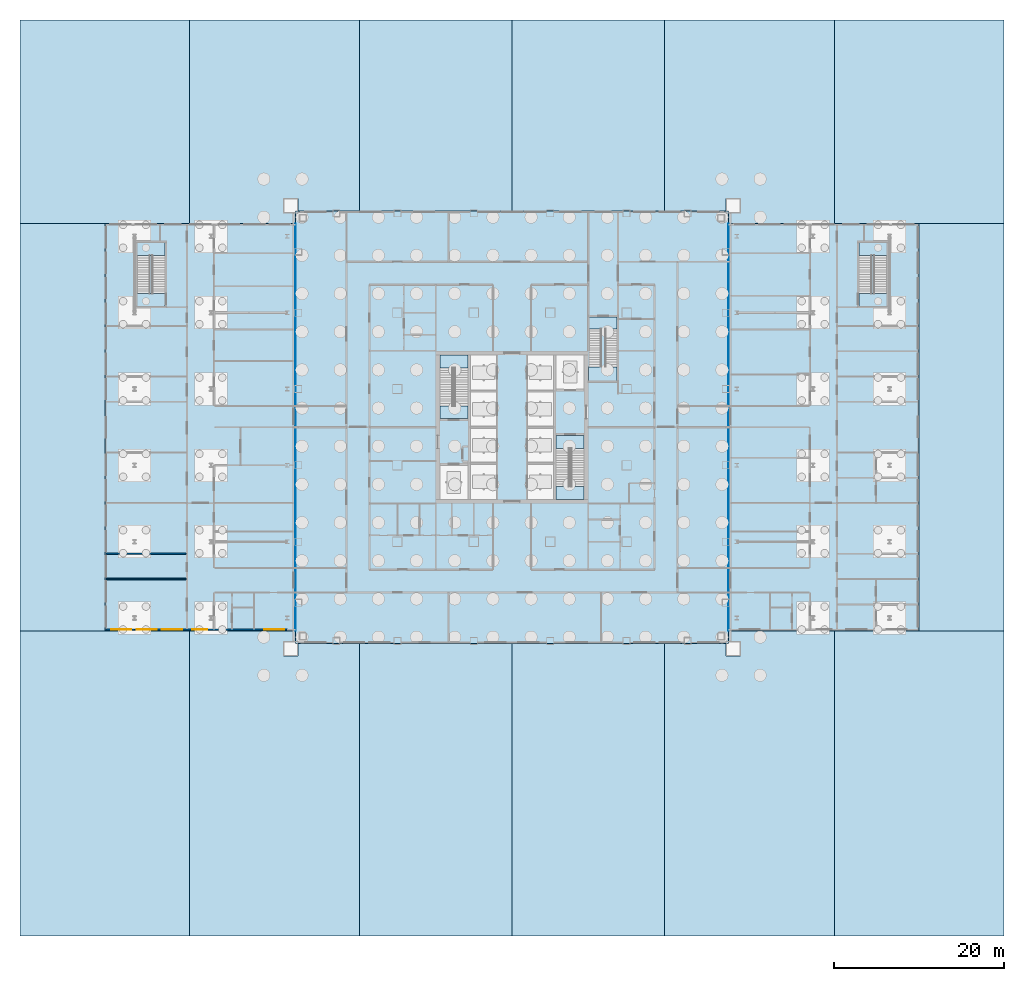
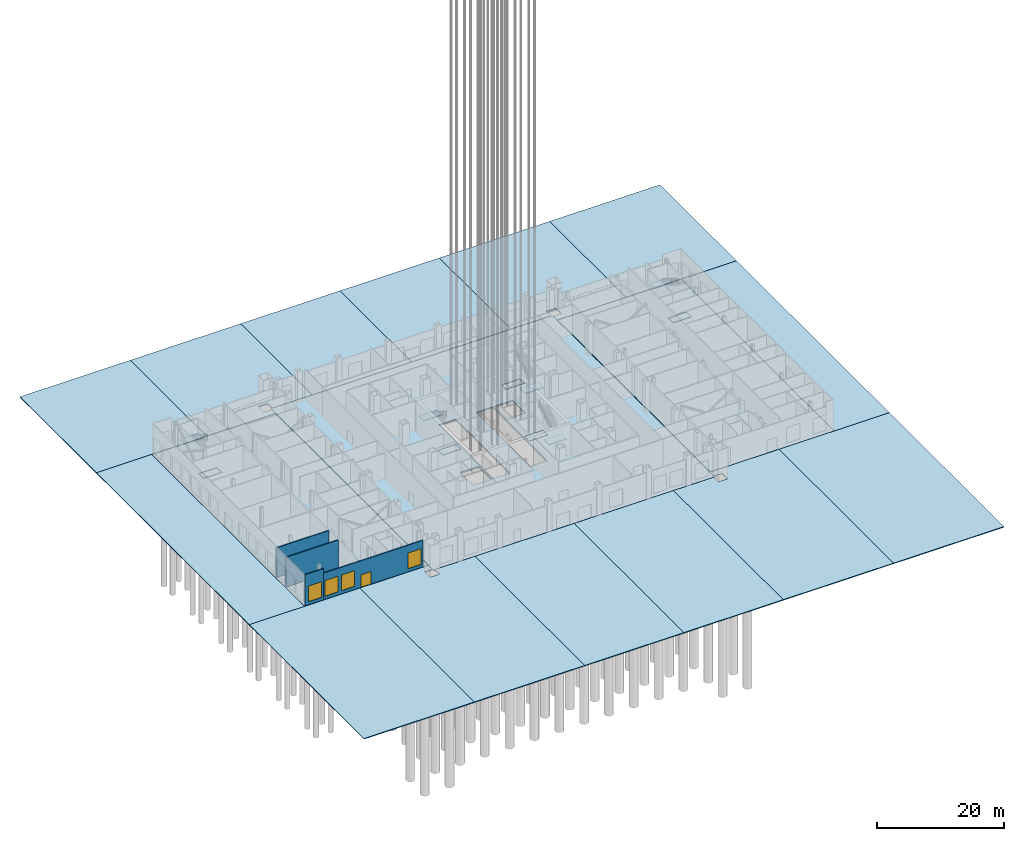
# One storey, part 3 of 36: 29 slabs, 4 walls, 4 windows, 1 door, 5 openings, 5 elements without a shape of their own.
"""IFC4 building model written with IfcOpenShell, lengths in metres."""

from ifc_helpers import new_model, si_unit, direction, frame, frame_2d, origin, place, context, subcontext, project, spatial, polyline, rectangle, outline, extrude, material, layer, layer_set, type_object, element, fill, aggregate, save


model = new_model("IFC4")

# Units and contexts
model_context = context("Model", 3, precision=1e-05, world=origin(), true_north=direction((0.0, 1.0)))
body_context = subcontext(model_context, "Body", "Model", "MODEL_VIEW")
ifc_project = project(units=[si_unit("LENGTHUNIT", "METRE"), si_unit("AREAUNIT", "SQUARE_METRE"), si_unit("VOLUMEUNIT", "CUBIC_METRE"), si_unit("PLANEANGLEUNIT", "RADIAN"), si_unit("MASSUNIT", "GRAM", prefix="KILO")], contexts=[model_context])

# Site, building, storey
site_placement = place(None, origin())
site = spatial("IfcSite", under=ifc_project, at=site_placement, CompositionType="ELEMENT")
building_placement = place(site_placement, origin())
building = spatial("IfcBuilding", under=site, at=building_placement, Name="Malebo Sky Hospital", CompositionType="ELEMENT")
storey_placement = place(building_placement, origin())
storey = spatial("IfcBuildingStorey", under=building, at=storey_placement, Name="L00", CompositionType="ELEMENT", Elevation=0.0)

# Slabs
ifc_material_1 = material(Name="Concrete C40/50", Category="concrete")
ifc_layer_1 = layer(ifc_material_1, 0.25)
ifc_layer_set_1 = layer_set([ifc_layer_1], Name="GROUND SLAB 250")
slab_type_1 = type_object("IfcSlabType", Name="GROUND SLAB 250", PredefinedType="BASESLAB", material=ifc_layer_set_1)
slab_1_placement = place(storey_placement, frame((0.0, 0.0, -0.25)))
element("IfcSlab", 1, at=slab_1_placement, inside=storey, type_object=slab_type_1, Name="Ground slab, tower", PredefinedType="BASESLAB", context=body_context, shape_type="SweptSolid", body=[
    extrude(outline(polyline([(85.5, 36.5), (85.5, 87.5), (34.5, 87.5), (34.5, 36.5), (85.5, 36.5)]), holes=[polyline([(58.14990234375, 53.5), (55.10009765625, 53.5), (55.10009765625, 70.5), (58.14990234375, 70.5), (58.14990234375, 53.5)]), polyline([(61.85009765625, 53.5), (61.85009765625, 70.5), (64.89990234375, 70.5), (64.89990234375, 53.5), (61.85009765625, 53.5)]), polyline([(51.5, 57.5), (54.800048828125, 57.5), (54.800048828125, 53.5), (51.5, 53.5), (51.5, 57.5)]), polyline([(68.5, 70.5), (68.5, 66.5), (65.199951171875, 66.5), (65.199951171875, 70.5), (68.5, 70.5)]), polyline([(54.800048828125, 63.0), (51.5, 63.0), (51.5, 64.5), (54.800048828125, 64.5), (54.800048828125, 63.0)]), polyline([(65.199951171875, 59.5), (65.199951171875, 61.0), (68.5, 61.0), (68.5, 59.5), (65.199951171875, 59.5)]), polyline([(69.10009765625, 75.0), (72.39990234375, 75.0), (72.39990234375, 73.60009765625), (69.10009765625, 73.60009765625), (69.10009765625, 75.0)])]), origin(), (0.0, 0.0, 1.0), 0.25),
])
slab_2_placement = place(storey_placement, frame((0.0, 0.0, -0.25)))
element("IfcSlab", 2, at=slab_2_placement, inside=storey, type_object=slab_type_1, Name="Ground slab, west wing", PredefinedType="BASESLAB", context=body_context, shape_type="SweptSolid", body=[
    extrude(outline(polyline([(34.449951171875, 38.0), (34.449951171875, 86.0), (12.0, 86.0), (12.0, 38.0), (34.449951171875, 38.0)]), holes=[polyline([(19.10009765625, 77.75), (19.10009765625, 76.25), (15.800048828125, 76.25), (15.800048828125, 77.75), (19.10009765625, 77.75)])]), origin(), (0.0, 0.0, 1.0), 0.25),
])
slab_3_placement = place(storey_placement, frame((0.0, 0.0, -0.25)))
element("IfcSlab", 3, at=slab_3_placement, inside=storey, type_object=slab_type_1, Name="Ground slab, east wing", PredefinedType="BASESLAB", context=body_context, shape_type="SweptSolid", body=[
    extrude(outline(polyline([(108.0, 38.0), (108.0, 86.0), (85.550048828125, 86.0), (85.550048828125, 38.0), (108.0, 38.0)]), holes=[polyline([(104.199951171875, 76.25), (100.89990234375, 76.25), (100.89990234375, 77.75), (104.199951171875, 77.75), (104.199951171875, 76.25)])]), origin(), (0.0, 0.0, 1.0), 0.25),
])
ifc_material_2 = material(Name="Granite setts on concrete base", Category="masonry")
ifc_layer_2 = layer(ifc_material_2, 0.14990234375)
ifc_layer_set_2 = layer_set([ifc_layer_2], Name="PLAZA PAVING 150")
slab_type_2 = type_object("IfcSlabType", Name="PLAZA PAVING 150", PredefinedType="USERDEFINED", material=ifc_layer_set_2)
slab_4_placement = place(storey_placement, frame((0.0, 0.0, -0.14990234375)))
element("IfcSlab", 4, at=slab_4_placement, inside=storey, type_object=slab_type_2, Name="South plaza paving bay 1", ObjectType="PAVING", PredefinedType="USERDEFINED", context=body_context, shape_type="SweptSolid", body=[
    extrude(outline(polyline([(2.0, 2.0), (22.0, 2.0), (22.0, 38.0), (12.0, 38.0), (2.0, 38.0), (2.0, 2.0)])), origin(), (0.0, 0.0, 1.0), 0.14990234375),
])
slab_5_placement = place(storey_placement, frame((0.0, 0.0, -0.14990234375)))
element("IfcSlab", 5, at=slab_5_placement, inside=storey, type_object=slab_type_2, Name="South plaza paving bay 2", ObjectType="PAVING", PredefinedType="USERDEFINED", context=body_context, shape_type="SweptSolid", body=[
    extrude(outline(polyline([(42.0, 2.0), (42.0, 36.5), (34.75, 36.5), (34.75, 35.050048828125), (33.050048828125, 35.050048828125), (33.050048828125, 36.75), (34.5, 36.75), (34.5, 38.0), (34.449951171875, 38.0), (22.0, 38.0), (22.0, 2.0), (42.0, 2.0)])), origin(), (0.0, 0.0, 1.0), 0.14990234375),
])
slab_6_placement = place(storey_placement, frame((0.0, 0.0, -0.14990234375)))
element("IfcSlab", 6, at=slab_6_placement, inside=storey, type_object=slab_type_2, Name="South plaza paving bay 3", ObjectType="PAVING", PredefinedType="USERDEFINED", context=body_context, shape_type="SweptSolid", body=[
    extrude(outline(polyline([(60.0, 2.0), (60.0, 36.5), (42.0, 36.5), (42.0, 2.0), (60.0, 2.0)])), origin(), (0.0, 0.0, 1.0), 0.14990234375),
])
slab_7_placement = place(storey_placement, frame((0.0, 0.0, -0.14990234375)))
element("IfcSlab", 7, at=slab_7_placement, inside=storey, type_object=slab_type_2, Name="South plaza paving bay 4", ObjectType="PAVING", PredefinedType="USERDEFINED", context=body_context, shape_type="SweptSolid", body=[
    extrude(outline(polyline([(78.0, 2.0), (78.0, 36.5), (60.0, 36.5), (60.0, 2.0), (78.0, 2.0)])), origin(), (0.0, 0.0, 1.0), 0.14990234375),
])
slab_8_placement = place(storey_placement, frame((0.0, 0.0, -0.14990234375)))
element("IfcSlab", 8, at=slab_8_placement, inside=storey, type_object=slab_type_2, Name="South plaza paving bay 5", ObjectType="PAVING", PredefinedType="USERDEFINED", context=body_context, shape_type="SweptSolid", body=[
    extrude(outline(polyline([(98.0, 2.0), (98.0, 38.0), (85.550048828125, 38.0), (85.5, 38.0), (85.5, 36.75), (86.949951171875, 36.75), (86.949951171875, 35.050048828125), (85.25, 35.050048828125), (85.25, 36.5), (78.0, 36.5), (78.0, 2.0), (98.0, 2.0)])), origin(), (0.0, 0.0, 1.0), 0.14990234375),
])
slab_9_placement = place(storey_placement, frame((0.0, 0.0, -0.14990234375)))
element("IfcSlab", 9, at=slab_9_placement, inside=storey, type_object=slab_type_2, Name="South plaza paving bay 6", ObjectType="PAVING", PredefinedType="USERDEFINED", context=body_context, shape_type="SweptSolid", body=[
    extrude(outline(polyline([(118.0, 38.0), (108.0, 38.0), (98.0, 38.0), (98.0, 2.0), (118.0, 2.0), (118.0, 38.0)])), origin(), (0.0, 0.0, 1.0), 0.14990234375),
])
slab_10_placement = place(storey_placement, frame((0.0, 0.0, -0.14990234375)))
element("IfcSlab", 10, at=slab_10_placement, inside=storey, type_object=slab_type_2, Name="Forecourt paving bay 7", ObjectType="PAVING", PredefinedType="USERDEFINED", context=body_context, shape_type="SweptSolid", body=[
    extrude(outline(polyline([(2.0, 38.0), (12.0, 38.0), (12.0, 86.0), (2.0, 86.0), (2.0, 38.0)])), origin(), (0.0, 0.0, 1.0), 0.14990234375),
])
slab_11_placement = place(storey_placement, frame((0.0, 0.0, -0.14990234375)))
element("IfcSlab", 11, at=slab_11_placement, inside=storey, type_object=slab_type_2, Name="Forecourt paving bay 8", ObjectType="PAVING", PredefinedType="USERDEFINED", context=body_context, shape_type="SweptSolid", body=[
    extrude(outline(polyline([(34.5, 86.0), (34.449951171875, 86.0), (34.449951171875, 38.0), (34.5, 38.0), (34.5, 86.0)])), origin(), (0.0, 0.0, 1.0), 0.14990234375),
])
slab_12_placement = place(storey_placement, frame((0.0, 0.0, -0.14990234375)))
element("IfcSlab", 12, at=slab_12_placement, inside=storey, type_object=slab_type_2, Name="Forecourt paving bay 9", ObjectType="PAVING", PredefinedType="USERDEFINED", context=body_context, shape_type="SweptSolid", body=[
    extrude(outline(polyline([(85.5, 38.0), (85.550048828125, 38.0), (85.550048828125, 86.0), (85.5, 86.0), (85.5, 38.0)])), origin(), (0.0, 0.0, 1.0), 0.14990234375),
])
slab_13_placement = place(storey_placement, frame((0.0, 0.0, -0.14990234375)))
element("IfcSlab", 13, at=slab_13_placement, inside=storey, type_object=slab_type_2, Name="Forecourt paving bay 10", ObjectType="PAVING", PredefinedType="USERDEFINED", context=body_context, shape_type="SweptSolid", body=[
    extrude(outline(polyline([(118.0, 86.0), (108.0, 86.0), (108.0, 38.0), (118.0, 38.0), (118.0, 86.0)])), origin(), (0.0, 0.0, 1.0), 0.14990234375),
])
slab_14_placement = place(storey_placement, frame((0.0, 0.0, -0.14990234375)))
element("IfcSlab", 14, at=slab_14_placement, inside=storey, type_object=slab_type_2, Name="Service court paving bay 11", ObjectType="PAVING", PredefinedType="USERDEFINED", context=body_context, shape_type="SweptSolid", body=[
    extrude(outline(polyline([(2.0, 86.0), (12.0, 86.0), (22.0, 86.0), (22.0, 110.0), (2.0, 110.0), (2.0, 86.0)])), origin(), (0.0, 0.0, 1.0), 0.14990234375),
])
slab_15_placement = place(storey_placement, frame((0.0, 0.0, -0.14990234375)))
element("IfcSlab", 15, at=slab_15_placement, inside=storey, type_object=slab_type_2, Name="Service court paving bay 12", ObjectType="PAVING", PredefinedType="USERDEFINED", context=body_context, shape_type="SweptSolid", body=[
    extrude(outline(polyline([(22.0, 110.0), (22.0, 86.0), (34.449951171875, 86.0), (34.5, 86.0), (34.5, 87.25), (33.050048828125, 87.25), (33.050048828125, 88.949951171875), (34.75, 88.949951171875), (34.75, 87.5), (42.0, 87.5), (42.0, 110.0), (22.0, 110.0)])), origin(), (0.0, 0.0, 1.0), 0.14990234375),
])
slab_16_placement = place(storey_placement, frame((0.0, 0.0, -0.14990234375)))
element("IfcSlab", 16, at=slab_16_placement, inside=storey, type_object=slab_type_2, Name="Service court paving bay 13", ObjectType="PAVING", PredefinedType="USERDEFINED", context=body_context, shape_type="SweptSolid", body=[
    extrude(outline(polyline([(42.0, 110.0), (42.0, 87.5), (60.0, 87.5), (60.0, 110.0), (42.0, 110.0)])), origin(), (0.0, 0.0, 1.0), 0.14990234375),
])
slab_17_placement = place(storey_placement, frame((0.0, 0.0, -0.14990234375)))
element("IfcSlab", 17, at=slab_17_placement, inside=storey, type_object=slab_type_2, Name="Service court paving bay 14", ObjectType="PAVING", PredefinedType="USERDEFINED", context=body_context, shape_type="SweptSolid", body=[
    extrude(outline(polyline([(60.0, 110.0), (60.0, 87.5), (78.0, 87.5), (78.0, 110.0), (60.0, 110.0)])), origin(), (0.0, 0.0, 1.0), 0.14990234375),
])
slab_18_placement = place(storey_placement, frame((0.0, 0.0, -0.14990234375)))
element("IfcSlab", 18, at=slab_18_placement, inside=storey, type_object=slab_type_2, Name="Service court paving bay 15", ObjectType="PAVING", PredefinedType="USERDEFINED", context=body_context, shape_type="SweptSolid", body=[
    extrude(outline(polyline([(78.0, 110.0), (78.0, 87.5), (85.25, 87.5), (85.25, 88.949951171875), (86.949951171875, 88.949951171875), (86.949951171875, 87.25), (85.5, 87.25), (85.5, 86.0), (85.550048828125, 86.0), (98.0, 86.0), (98.0, 110.0), (78.0, 110.0)])), origin(), (0.0, 0.0, 1.0), 0.14990234375),
])
slab_19_placement = place(storey_placement, frame((0.0, 0.0, -0.14990234375)))
element("IfcSlab", 19, at=slab_19_placement, inside=storey, type_object=slab_type_2, Name="Service court paving bay 16", ObjectType="PAVING", PredefinedType="USERDEFINED", context=body_context, shape_type="SweptSolid", body=[
    extrude(outline(polyline([(98.0, 110.0), (98.0, 86.0), (108.0, 86.0), (118.0, 86.0), (118.0, 110.0), (98.0, 110.0)])), origin(), (0.0, 0.0, 1.0), 0.14990234375),
])

# Stair, slabs
stair_type_1 = type_object("IfcStairType", Name="HALF-TURN STAIR 1500 R176", PredefinedType="HALF_TURN_STAIR", material=ifc_material_1)
stair_1_placement = place(storey_placement, origin())
stair_1 = element("IfcStair", 20, at=stair_1_placement, inside=storey, type_object=stair_type_1, Name="Stair S1 L00 type ST4", PredefinedType="HALF_TURN_STAIR")
ifc_layer_3 = layer(ifc_material_1, 0.199951171875)
ifc_layer_set_3 = layer_set([ifc_layer_3], Name="STAIR LANDING 200")
slab_type_3 = type_object("IfcSlabType", Name="STAIR LANDING 200", PredefinedType="LANDING", material=ifc_layer_set_3)
slab_20_placement = place(storey_placement, frame((0.0, 0.0, -0.199951171875)))
slab_20 = element("IfcSlab", 21, at=slab_20_placement, type_object=slab_type_3, Name="S1 landing 1", PredefinedType="LANDING", context=body_context, shape_type="SweptSolid", body=[
    extrude(outline(polyline([(51.5, 63.0), (54.800048828125, 63.0), (54.800048828125, 64.5), (51.5, 64.5), (51.5, 63.0)])), origin(), (0.0, 0.0, 1.0), 0.199951171875),
])
slab_21_placement = place(storey_placement, frame((0.0, 0.0, 2.800048828125)))
slab_21 = element("IfcSlab", 22, at=slab_21_placement, type_object=slab_type_3, Name="S1 landing 2", PredefinedType="LANDING", context=body_context, shape_type="SweptSolid", body=[
    extrude(outline(polyline([(51.5, 68.97998046875), (54.800048828125, 68.97998046875), (54.800048828125, 70.5), (51.5, 70.5), (51.5, 68.97998046875)])), origin(), (0.0, 0.0, 1.0), 0.199951171875),
])
aggregate(stair_1, [slab_20, slab_21])

stair_2_placement = place(storey_placement, origin())
stair_2 = element("IfcStair", 23, at=stair_2_placement, inside=storey, type_object=stair_type_1, Name="Stair S2 L00 type ST4", PredefinedType="HALF_TURN_STAIR")
slab_22_placement = place(storey_placement, frame((0.0, 0.0, -0.199951171875)))
slab_22 = element("IfcSlab", 24, at=slab_22_placement, type_object=slab_type_3, Name="S2 landing 1", PredefinedType="LANDING", context=body_context, shape_type="SweptSolid", body=[
    extrude(outline(polyline([(65.199951171875, 59.5), (68.5, 59.5), (68.5, 61.0), (65.199951171875, 61.0), (65.199951171875, 59.5)])), origin(), (0.0, 0.0, 1.0), 0.199951171875),
])
slab_23_placement = place(storey_placement, frame((0.0, 0.0, 2.800048828125)))
slab_23 = element("IfcSlab", 25, at=slab_23_placement, type_object=slab_type_3, Name="S2 landing 2", PredefinedType="LANDING", context=body_context, shape_type="SweptSolid", body=[
    extrude(outline(polyline([(65.199951171875, 53.5), (68.5, 53.5), (68.5, 55.02001953125), (65.199951171875, 55.02001953125), (65.199951171875, 53.5)])), origin(), (0.0, 0.0, 1.0), 0.199951171875),
])
aggregate(stair_2, [slab_22, slab_23])

stair_type_2 = type_object("IfcStairType", Name="HALF-TURN STAIR 1400 R176", PredefinedType="HALF_TURN_STAIR", material=ifc_material_1)
stair_3_placement = place(storey_placement, origin())
stair_3 = element("IfcStair", 26, at=stair_3_placement, inside=storey, type_object=stair_type_2, Name="Stair S3 L00 type ST4B", PredefinedType="HALF_TURN_STAIR")
slab_24_placement = place(storey_placement, frame((0.0, 0.0, -0.199951171875)))
slab_24 = element("IfcSlab", 27, at=slab_24_placement, type_object=slab_type_3, Name="S3 landing 1", PredefinedType="LANDING", context=body_context, shape_type="SweptSolid", body=[
    extrude(outline(polyline([(69.10009765625, 73.60009765625), (72.39990234375, 73.60009765625), (72.39990234375, 75.0), (69.10009765625, 75.0), (69.10009765625, 73.60009765625)])), origin(), (0.0, 0.0, 1.0), 0.199951171875),
])
slab_25_placement = place(storey_placement, frame((0.0, 0.0, 2.800048828125)))
slab_25 = element("IfcSlab", 28, at=slab_25_placement, type_object=slab_type_3, Name="S3 landing 2", PredefinedType="LANDING", context=body_context, shape_type="SweptSolid", body=[
    extrude(outline(polyline([(69.0, 67.449951171875), (72.39990234375, 67.449951171875), (72.39990234375, 69.1201171875), (69.0, 69.1201171875), (69.0, 67.449951171875)])), origin(), (0.0, 0.0, 1.0), 0.199951171875),
])
aggregate(stair_3, [slab_24, slab_25])

stair_4_placement = place(storey_placement, origin())
stair_4 = element("IfcStair", 29, at=stair_4_placement, inside=storey, type_object=stair_type_1, Name="Stair WS L00 type ST4", PredefinedType="HALF_TURN_STAIR")
slab_26_placement = place(storey_placement, frame((0.0, 0.0, -0.199951171875)))
slab_26 = element("IfcSlab", 30, at=slab_26_placement, type_object=slab_type_3, Name="WS landing 1", PredefinedType="LANDING", context=body_context, shape_type="SweptSolid", body=[
    extrude(outline(polyline([(15.800048828125, 76.25), (19.10009765625, 76.25), (19.10009765625, 77.75), (15.800048828125, 77.75), (15.800048828125, 76.25)])), origin(), (0.0, 0.0, 1.0), 0.199951171875),
])
slab_27_placement = place(storey_placement, frame((0.0, 0.0, 2.800048828125)))
slab_27 = element("IfcSlab", 31, at=slab_27_placement, type_object=slab_type_3, Name="WS landing 2", PredefinedType="LANDING", context=body_context, shape_type="SweptSolid", body=[
    extrude(outline(polyline([(15.800048828125, 82.22998046875), (19.10009765625, 82.22998046875), (19.10009765625, 83.75), (15.800048828125, 83.75), (15.800048828125, 82.22998046875)])), origin(), (0.0, 0.0, 1.0), 0.199951171875),
])
aggregate(stair_4, [slab_26, slab_27])

stair_5_placement = place(storey_placement, origin())
stair_5 = element("IfcStair", 32, at=stair_5_placement, inside=storey, type_object=stair_type_1, Name="Stair ES L00 type ST4", PredefinedType="HALF_TURN_STAIR")
slab_28_placement = place(storey_placement, frame((0.0, 0.0, -0.199951171875)))
slab_28 = element("IfcSlab", 33, at=slab_28_placement, type_object=slab_type_3, Name="ES landing 1", PredefinedType="LANDING", context=body_context, shape_type="SweptSolid", body=[
    extrude(outline(polyline([(100.89990234375, 76.25), (104.199951171875, 76.25), (104.199951171875, 77.75), (100.89990234375, 77.75), (100.89990234375, 76.25)])), origin(), (0.0, 0.0, 1.0), 0.199951171875),
])
slab_29_placement = place(storey_placement, frame((0.0, 0.0, 2.800048828125)))
slab_29 = element("IfcSlab", 34, at=slab_29_placement, type_object=slab_type_3, Name="ES landing 2", PredefinedType="LANDING", context=body_context, shape_type="SweptSolid", body=[
    extrude(outline(polyline([(100.89990234375, 82.22998046875), (104.199951171875, 82.22998046875), (104.199951171875, 83.75), (100.89990234375, 83.75), (100.89990234375, 82.22998046875)])), origin(), (0.0, 0.0, 1.0), 0.199951171875),
])
aggregate(stair_5, [slab_28, slab_29])

# Wall, opening, window
ifc_material_3 = material(Name="Anodised aluminium, natural silver framed screen", Category="aluminium")
ifc_layer_4 = layer(ifc_material_3, 0.14990234375)
ifc_layer_set_4 = layer_set([ifc_layer_4], Name="GLAZED ENTRANCE SCREEN 150")
wall_type_1 = type_object("IfcWallType", Name="GLAZED ENTRANCE SCREEN 150", PredefinedType="STANDARD", material=ifc_layer_set_4)
wall_1_placement = place(storey_placement, frame((12.125, 38.125, 0.0), z_axis=(0.0, 0.0, 1.0), x_axis=(1.0, 0.0, 0.0)))
wall_1 = element("IfcWall", 35, at=wall_1_placement, inside=storey, type_object=wall_type_1, Name="Glazed entrance screen WS", PredefinedType="STANDARD", context=body_context, shape_type="SweptSolid", body=[
    extrude(rectangle(XDim=3.375, YDim=0.14990234375, at=frame_2d((1.6875, 0.0))), origin(), (0.0, 0.0, 1.0), 6.0),
])
opening_1_placement = place(wall_1_placement, frame((0.60888671875, 0.0, 0.60009765625)))
opening_1 = element("IfcOpeningElement", 36, at=opening_1_placement, cuts=wall_1, Name="Opening W01", PredefinedType="OPENING", context=body_context, shape_type="SweptSolid", body=[
    extrude(rectangle(XDim=2.39990234375, YDim=3.0, at=frame_2d((1.199951171875, 1.5))), frame((0.0, 0.0849609375, 0.0), z_axis=(0.0, -1.0, 0.0), x_axis=(1.0, 0.0, 0.0)), (0.0, 0.0, 1.0), 0.169921875),
])
ifc_material_4 = material(Name="Clear low-iron double glazing", Category="glass")
window_type = type_object("IfcWindowType", Name="SCREEN GLAZING 2400x3000", PartitioningType="SINGLE_PANEL", PredefinedType="WINDOW", material=ifc_material_4)
window_1_placement = place(opening_1_placement, origin())
window_1 = element("IfcWindow", 37, at=window_1_placement, inside=storey, type_object=window_type, Name="Screen glazing 1", OverallHeight=3.0, OverallWidth=2.39990234375, PartitioningType="SINGLE_PANEL", PredefinedType="WINDOW", context=body_context, shape_type="SweptSolid", body=[
    extrude(rectangle(XDim=2.39990234375, YDim=3.0, at=frame_2d((1.199951171875, 1.5))), frame((0.0, 0.030029296875, 0.0), z_axis=(0.0, -1.0, 0.0), x_axis=(1.0, 0.0, 0.0)), (0.0, 0.0, 1.0), 0.06005859375),
])
fill(opening_1, window_1)

# Wall, openings, door, windows
wall_2_placement = place(storey_placement, frame((15.5, 38.125, 0.0), z_axis=(0.0, 0.0, 1.0), x_axis=(1.0, 0.0, 0.0)))
wall_2 = element("IfcWall", 38, at=wall_2_placement, inside=storey, type_object=wall_type_1, Name="Glazed entrance screen WS", PredefinedType="STANDARD", context=body_context, shape_type="SweptSolid", body=[
    extrude(rectangle(XDim=18.0, YDim=0.14990234375, at=frame_2d((9.0, 0.0))), origin(), (0.0, 0.0, 1.0), 5.10009765625),
])
opening_2_placement = place(wall_2_placement, frame((6.800048828125, 0.0, 0.0)))
opening_2 = element("IfcOpeningElement", 39, at=opening_2_placement, cuts=wall_2, Name="Opening D12", PredefinedType="OPENING", context=body_context, shape_type="SweptSolid", body=[
    extrude(rectangle(XDim=1.800048828125, YDim=2.39990234375, at=frame_2d((0.89990234375, 1.199951171875))), frame((0.0, 0.0849609375, 0.0), z_axis=(0.0, -1.0, 0.0), x_axis=(1.0, 0.0, 0.0)), (0.0, 0.0, 1.0), 0.169921875),
])
opening_3_placement = place(wall_2_placement, frame((0.23388671875, 0.0, 0.60009765625)))
opening_3 = element("IfcOpeningElement", 40, at=opening_3_placement, cuts=wall_2, Name="Opening W01", PredefinedType="OPENING", context=body_context, shape_type="SweptSolid", body=[
    extrude(rectangle(XDim=2.39990234375, YDim=3.0, at=frame_2d((1.199951171875, 1.5))), frame((0.0, 0.0849609375, 0.0), z_axis=(0.0, -1.0, 0.0), x_axis=(1.0, 0.0, 0.0)), (0.0, 0.0, 1.0), 0.169921875),
])
opening_4_placement = place(wall_2_placement, frame((3.23388671875, 0.0, 0.60009765625)))
opening_4 = element("IfcOpeningElement", 41, at=opening_4_placement, cuts=wall_2, Name="Opening W01", PredefinedType="OPENING", context=body_context, shape_type="SweptSolid", body=[
    extrude(rectangle(XDim=2.39990234375, YDim=3.0, at=frame_2d((1.199951171875, 1.5))), frame((0.0, 0.0849609375, 0.0), z_axis=(0.0, -1.0, 0.0), x_axis=(1.0, 0.0, 0.0)), (0.0, 0.0, 1.0), 0.169921875),
])
opening_5_placement = place(wall_2_placement, frame((15.278564453125, 0.0, 0.60009765625)))
opening_5 = element("IfcOpeningElement", 42, at=opening_5_placement, cuts=wall_2, Name="Opening W01", PredefinedType="OPENING", context=body_context, shape_type="SweptSolid", body=[
    extrude(rectangle(XDim=2.39990234375, YDim=3.0, at=frame_2d((1.199951171875, 1.5))), frame((0.0, 0.0849609375, 0.0), z_axis=(0.0, -1.0, 0.0), x_axis=(1.0, 0.0, 0.0)), (0.0, 0.0, 1.0), 0.169921875),
])
ifc_material_5 = material(Name="Anodised aluminium, natural silver framed glazed door", Category="aluminium")
door_type = type_object("IfcDoorType", Name="EXIT DOOR PAIR 1800", OperationType="DOUBLE_DOOR_SINGLE_SWING", PredefinedType="DOOR", material=ifc_material_5)
door_placement = place(opening_2_placement, frame((1.800048828125, 0.0, 0.0), z_axis=(0.0, 0.0, 1.0), x_axis=(-1.0, 0.0, 0.0)))
door = element("IfcDoor", 43, at=door_placement, inside=storey, type_object=door_type, Name="West wing exit doors", OperationType="DOUBLE_DOOR_SINGLE_SWING", OverallHeight=2.39990234375, OverallWidth=1.800048828125, PredefinedType="DOOR", context=body_context, shape_type="SweptSolid", body=[
    extrude(rectangle(XDim=1.800048828125, YDim=2.39990234375, at=frame_2d((0.89990234375, 1.199951171875))), frame((0.0, 0.02490234375, 0.0), z_axis=(0.0, -1.0, 0.0), x_axis=(1.0, 0.0, 0.0)), (0.0, 0.0, 1.0), 0.050048828125),
])
fill(opening_2, door)
window_2_placement = place(opening_3_placement, origin())
window_2 = element("IfcWindow", 44, at=window_2_placement, inside=storey, type_object=window_type, Name="Screen glazing 2", OverallHeight=3.0, OverallWidth=2.39990234375, PartitioningType="SINGLE_PANEL", PredefinedType="WINDOW", context=body_context, shape_type="SweptSolid", body=[
    extrude(rectangle(XDim=2.39990234375, YDim=3.0, at=frame_2d((1.199951171875, 1.5))), frame((0.0, 0.030029296875, 0.0), z_axis=(0.0, -1.0, 0.0), x_axis=(1.0, 0.0, 0.0)), (0.0, 0.0, 1.0), 0.06005859375),
])
fill(opening_3, window_2)
window_3_placement = place(opening_4_placement, origin())
window_3 = element("IfcWindow", 45, at=window_3_placement, inside=storey, type_object=window_type, Name="Screen glazing 3", OverallHeight=3.0, OverallWidth=2.39990234375, PartitioningType="SINGLE_PANEL", PredefinedType="WINDOW", context=body_context, shape_type="SweptSolid", body=[
    extrude(rectangle(XDim=2.39990234375, YDim=3.0, at=frame_2d((1.199951171875, 1.5))), frame((0.0, 0.030029296875, 0.0), z_axis=(0.0, -1.0, 0.0), x_axis=(1.0, 0.0, 0.0)), (0.0, 0.0, 1.0), 0.06005859375),
])
fill(opening_4, window_3)
window_4_placement = place(opening_5_placement, origin())
window_4 = element("IfcWindow", 46, at=window_4_placement, inside=storey, type_object=window_type, Name="Screen glazing 4", OverallHeight=3.0, OverallWidth=2.39990234375, PartitioningType="SINGLE_PANEL", PredefinedType="WINDOW", context=body_context, shape_type="SweptSolid", body=[
    extrude(rectangle(XDim=2.39990234375, YDim=3.0, at=frame_2d((1.199951171875, 1.5))), frame((0.0, 0.030029296875, 0.0), z_axis=(0.0, -1.0, 0.0), x_axis=(1.0, 0.0, 0.0)), (0.0, 0.0, 1.0), 0.06005859375),
])
fill(opening_5, window_4)

# Walls
ifc_material_6 = material(Name="Gypsum board on steel studs", Category="steel")
ifc_layer_5 = layer(ifc_material_6, 0.14990234375)
ifc_layer_set_5 = layer_set([ifc_layer_5], Name="PARTITION 150")
wall_type_2 = type_object("IfcWallType", Name="PARTITION 150", PredefinedType="PARTITIONING", material=ifc_layer_set_5)
for number, where, z_axis, x_axis, name in (
    (47, (12.14990234375, 44.09375, 0.0), (0.0, 0.0, 1.0), (1.0, 0.0, 0.0), "Partition 150 WOH00"),
    (48, (12.14990234375, 47.078125, 0.0), (0.0, 0.0, 1.0), (1.0, 0.0, 0.0), "Partition 150 WOH01"),
):
    element("IfcWall", number, at=place(storey_placement, frame(where, z_axis=z_axis, x_axis=x_axis)), inside=storey, type_object=wall_type_2, Name=name, PredefinedType="PARTITIONING", context=body_context, shape_type="SweptSolid", body=[
        extrude(rectangle(XDim=9.443115234375, YDim=0.14990234375, at=frame_2d((4.7216796875, 0.0))), origin(), (0.0, 0.0, 1.0), 5.699951171875),
    ])

save(model, "model.ifc")
